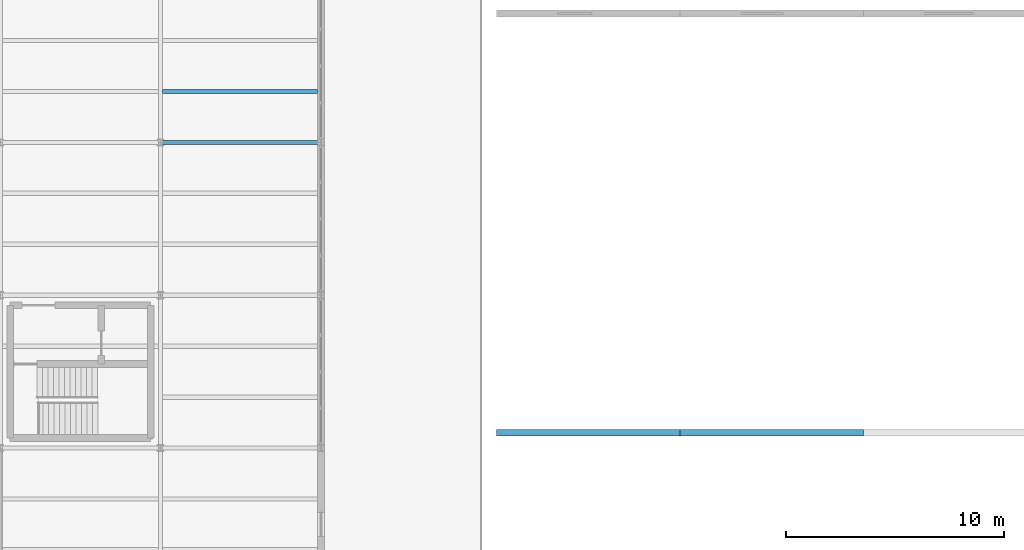
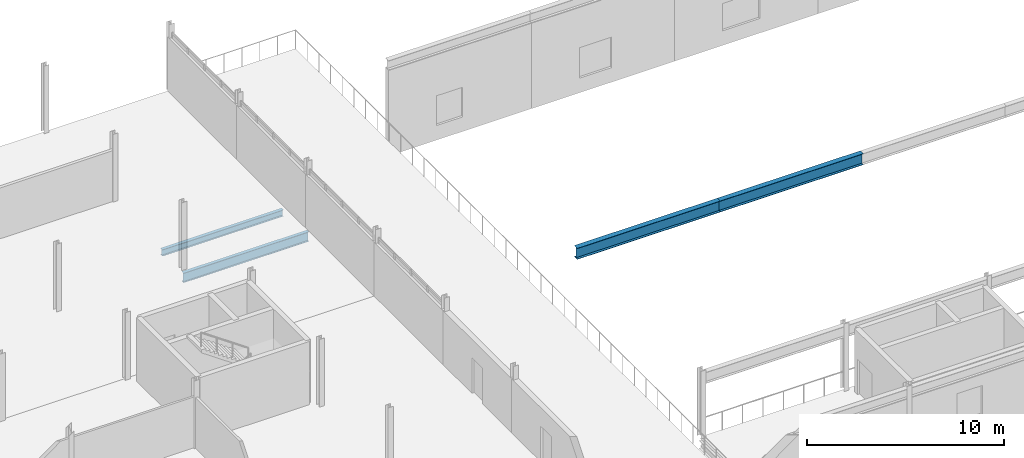
# One storey, part 22 of 39: 4 beams.
"""IFC4 building model written with IfcOpenShell, lengths in metres."""

import ifcopenshell
import ifcopenshell.guid

model = None  # the IFC model being written
_history = None  # IfcOwnerHistory: only IFC2X3 demands one
_inside = {}  # id of a spatial element -> (the spatial element, [elements in it])
_under = {}  # id of a project, library or spatial element -> (it, [spatial elements below it])
_declared = {}  # id of a project -> (the project, [libraries it declares])
_typed = {}  # id of a type object -> (the type object, [elements of that type])
_made_of = {}  # id of a material, layer set ... -> (it, [elements and type objects made of it])


def new_model(schema):
    """Start an empty IFC model of exactly this schema.

    Asked for "IFC4X3", IfcOpenShell would pick the latest addendum, in which some entities
    have other attributes; the version numbers below select the first issue.
    IFC2X3 requires an IfcOwnerHistory on every rooted entity: one is made here for all.
    """
    global model, _history
    if schema == "IFC4X3":
        model = ifcopenshell.file(schema_version=(4, 3, 0, 0))
    else:
        model = ifcopenshell.file(schema=schema)
    _inside.clear()
    _under.clear()
    _declared.clear()
    _typed.clear()
    _made_of.clear()
    _history = None
    if model.schema == "IFC2X3":
        org = make("IfcOrganization", Name="unknown")
        user = make(
            "IfcPersonAndOrganization",
            ThePerson=make("IfcPerson", FamilyName="unknown"),
            TheOrganization=org,
        )
        app = make(
            "IfcApplication",
            ApplicationDeveloper=org,
            Version="unknown",
            ApplicationFullName="unknown",
            ApplicationIdentifier="unknown",
        )
        _history = make(
            "IfcOwnerHistory",
            OwningUser=user,
            OwningApplication=app,
            ChangeAction="ADDED",
            CreationDate=0,
        )
    return model


def make(cls, **values):
    """One entity of the class cls with the attributes given. An attribute that is None is left unset."""
    return model.create_entity(
        cls, **{name: value for name, value in values.items() if value is not None}
    )


def rooted(cls, **values):
    """An entity with a GlobalId (a new one), such as an element, a storey or a relation."""
    return make(cls, GlobalId=ifcopenshell.guid.new(), OwnerHistory=_history, **values)


def si_unit(unit_type, name, prefix=None):
    """IfcSIUnit, for example si_unit("LENGTHUNIT", "METRE", prefix="MILLI")."""
    return make("IfcSIUnit", UnitType=unit_type, Prefix=prefix, Name=name)


def assignment(units):
    """IfcUnitAssignment: the units of a project."""
    return None if units is None else make("IfcUnitAssignment", Units=units)


def point(xyz):
    """IfcCartesianPoint."""
    return None if xyz is None else make("IfcCartesianPoint", Coordinates=xyz)


def direction(xyz):
    """IfcDirection."""
    return None if xyz is None else make("IfcDirection", DirectionRatios=xyz)


def frame(location, z_axis=None, x_axis=None):
    """IfcAxis2Placement3D, a coordinate frame: its origin and axes. An axis left out is left unset."""
    return make(
        "IfcAxis2Placement3D",
        Location=point(location),
        Axis=direction(z_axis),
        RefDirection=direction(x_axis),
    )


def frame_2d(location, x_axis=None):
    """IfcAxis2Placement2D, a coordinate frame in the plane: its origin and x axis."""
    return make(
        "IfcAxis2Placement2D", Location=point(location), RefDirection=direction(x_axis)
    )


def origin():
    """The frame at (0, 0, 0) with its axes left unset."""
    return frame((0.0, 0.0, 0.0))


def origin_2d():
    """The frame at (0, 0) in the plane with its x axis left unset."""
    return frame_2d((0.0, 0.0))


def place(relative_to, where):
    """IfcLocalPlacement: puts the frame where relative to a parent placement (None: the world)."""
    return make(
        "IfcLocalPlacement", PlacementRelTo=relative_to, RelativePlacement=where
    )


def context(
    kind, dimensions, precision=None, world=None, true_north=None, identifier=None
):
    """IfcGeometricRepresentationContext, for example the 3D "Model" context."""
    return make(
        "IfcGeometricRepresentationContext",
        ContextIdentifier=identifier,
        ContextType=kind,
        CoordinateSpaceDimension=dimensions,
        Precision=precision,
        WorldCoordinateSystem=world,
        TrueNorth=true_north,
    )


def subcontext(parent, identifier, kind, view, scale=None):
    """IfcGeometricRepresentationSubContext, for example "Body" below "Model"."""
    return make(
        "IfcGeometricRepresentationSubContext",
        ContextIdentifier=identifier,
        ContextType=kind,
        ParentContext=parent,
        TargetScale=scale,
        TargetView=view,
    )


def project(units=None, contexts=None):
    """IfcProject with its units and contexts."""
    return rooted(
        "IfcProject",
        Name="project",
        RepresentationContexts=contexts,
        UnitsInContext=assignment(units),
    )


def spatial(cls, under=None, at=None, **own):
    """A site, building, storey or space (cls), placed at a placement, below another one or the project."""
    s = rooted(cls, ObjectPlacement=at, **own)
    if under is not None:
        _under.setdefault(under.id(), (under, []))[1].append(s)
    return s


def profile(cls, at=None, kind="AREA", **sizes):
    """A parametric profile (cls). Its sizes go by their IFC names, for example OverallWidth=200.0."""
    return make(cls, ProfileType=kind, Position=at, **sizes)


def i_section(**sizes):
    """IfcIShapeProfileDef."""
    return profile("IfcIShapeProfileDef", **sizes)


def extrude(swept, where, along, depth):
    """IfcExtrudedAreaSolid: the profile swept, set in the frame where, extruded along a direction by depth."""
    return make(
        "IfcExtrudedAreaSolid",
        SweptArea=swept,
        Position=where,
        ExtrudedDirection=direction(along),
        Depth=depth,
    )


def shape(context_of_items, identifier, shape_type, items):
    """IfcShapeRepresentation: the items that make up one representation, for example the "Body"."""
    return make(
        "IfcShapeRepresentation",
        ContextOfItems=context_of_items,
        RepresentationIdentifier=identifier,
        RepresentationType=shape_type,
        Items=items,
    )


def material(Name=None, Category=None):
    """IfcMaterial."""
    return make("IfcMaterial", Name=Name, Category=Category)


def material_profile(
    of_material, cross_section, Name=None, Category=None, Priority=None
):
    """IfcMaterialProfile: a cross section and its material."""
    return make(
        "IfcMaterialProfile",
        Name=Name,
        Material=of_material,
        Profile=cross_section,
        Priority=Priority,
        Category=Category,
    )


def profile_set(profiles, Name=None, composite=None):
    """IfcMaterialProfileSet."""
    return make(
        "IfcMaterialProfileSet",
        Name=Name,
        MaterialProfiles=profiles,
        CompositeProfile=composite,
    )


def made_of(thing, what):
    """Note that an element or type object is made of a material, layer set ...; save() writes the relation."""
    if what is not None:
        _made_of.setdefault(what.id(), (what, []))[1].append(thing)
    return thing


def type_object(cls, material=None, **own):
    """A type object (cls), such as IfcWallType, which elements share."""
    return made_of(rooted(cls, **own), material)


def element(
    cls,
    number,
    at=None,
    inside=None,
    cuts=None,
    type_object=None,
    material=None,
    context=None,
    identifier="Body",
    shape_type=None,
    held_by="IfcProductDefinitionShape",
    body=None,
    shapes=None,
    **own,
):
    """One element of the class cls, such as IfcWall. Its Tag is "e" and its number.

    at: its placement. inside: the storey or other place that contains it. cuts: it is an
    opening in that element (IfcRelVoidsElement). A single representation is given by context,
    identifier, shape_type and body (its items); several are given by shapes. held_by: the class
    of the entity that holds the representations. save() writes the other relations.
    """
    e = rooted(cls, Tag="e%d" % number, ObjectPlacement=at, **own)
    if body is not None:
        shapes = [shape(context, identifier, shape_type, body)]
    if shapes is not None:
        e.Representation = make(held_by, Representations=shapes)
    if inside is not None:
        _inside.setdefault(inside.id(), (inside, []))[1].append(e)
    if cuts is not None:
        rooted(
            "IfcRelVoidsElement", RelatingBuildingElement=cuts, RelatedOpeningElement=e
        )
    if type_object is not None:
        _typed.setdefault(type_object.id(), (type_object, []))[1].append(e)
    return made_of(e, material)


def aggregate(whole, parts):
    """IfcRelAggregates: a whole, such as a stair, and the parts it consists of."""
    return rooted("IfcRelAggregates", RelatingObject=whole, RelatedObjects=parts)


def save(model, path):
    """Write the relations noted so far, then the file.

    IfcRelAggregates (storeys below a building ...), IfcRelContainedInSpatialStructure (elements
    in a storey), IfcRelDefinesByType, IfcRelAssociatesMaterial and IfcRelDeclares: one each for
    every whole, place, type object, material and project.
    """
    for whole, parts in _under.values():
        aggregate(whole, parts)
    for where, things in _inside.values():
        rooted(
            "IfcRelContainedInSpatialStructure",
            RelatedElements=things,
            RelatingStructure=where,
        )
    for kind, things in _typed.values():
        rooted("IfcRelDefinesByType", RelatedObjects=things, RelatingType=kind)
    for what, things in _made_of.values():
        rooted("IfcRelAssociatesMaterial", RelatedObjects=things, RelatingMaterial=what)
    for by, libraries in _declared.values():
        rooted("IfcRelDeclares", RelatingContext=by, RelatedDefinitions=libraries)
    model.write(path)


model = new_model("IFC4")

# Units and contexts
model_context = context("Model", 3, precision=1e-05, world=origin(), true_north=direction((0.0, 1.0)))
body_context = subcontext(model_context, "Body", "Model", "MODEL_VIEW")
ifc_project = project(units=[si_unit("LENGTHUNIT", "METRE"), si_unit("AREAUNIT", "SQUARE_METRE"), si_unit("VOLUMEUNIT", "CUBIC_METRE"), si_unit("PLANEANGLEUNIT", "RADIAN"), si_unit("MASSUNIT", "GRAM", prefix="KILO")], contexts=[model_context])

# Site, building, storey
site_placement = place(None, origin())
site = spatial("IfcSite", under=ifc_project, at=site_placement, CompositionType="ELEMENT")
building_placement = place(site_placement, origin())
building = spatial("IfcBuilding", under=site, at=building_placement, Name="Kazenagashi Tramway Depot", CompositionType="ELEMENT")
storey_placement = place(building_placement, frame((0.0, 0.0, 11.1)))
storey = spatial("IfcBuildingStorey", under=building, at=storey_placement, Name="L03", CompositionType="ELEMENT", Elevation=11.1)

# Beams
ifc_material = material(Name="Steel SN490B", Category="steel")
ifc_material_profile_1 = material_profile(ifc_material, i_section(OverallWidth=0.3, OverallDepth=0.692, WebThickness=0.013, FlangeThickness=0.02, at=origin_2d()), Name="H-692x300x13x20")
ifc_profile_set_1 = profile_set([ifc_material_profile_1], Name="Steel SN490B")
beam_type_1 = type_object("IfcBeamType", Name="G-08", PredefinedType="BEAM", material=ifc_profile_set_1)
for number, where, z_axis, x_axis, name in (
    (1, (44.8, 35.7, 3.654), (1.0, 0.0, 0.0), (0.0, 1.0, 0.0), "Beam G-08 BM-0970"),
    (2, (53.2, 35.7, 3.654), (1.0, 0.0, 0.0), (0.0, 1.0, 0.0), "Beam G-08 BM-0971"),
):
    element("IfcBeam", number, at=place(storey_placement, frame(where, z_axis=z_axis, x_axis=x_axis)), inside=storey, type_object=beam_type_1, Name=name, PredefinedType="BEAM", context=body_context, shape_type="SweptSolid", body=[
        extrude(i_section(OverallWidth=0.3, OverallDepth=0.692, WebThickness=0.013, FlangeThickness=0.02, at=origin_2d()), origin(), (0.0, 0.0, 1.0), 8.4),
    ])
ifc_material_profile_2 = material_profile(ifc_material, i_section(OverallWidth=0.199, OverallDepth=0.596, WebThickness=0.01, FlangeThickness=0.015, at=origin_2d()), Name="H-596x199x10x15")
ifc_profile_set_2 = profile_set([ifc_material_profile_2], Name="Steel SN490B")
beam_type_2 = type_object("IfcBeamType", Name="G-09", PredefinedType="BEAM", material=ifc_profile_set_2)
beam_1_placement = place(storey_placement, frame((29.4, 49.0, -0.548), z_axis=(1.0, 0.0, 0.0), x_axis=(0.0, 1.0, 0.0)))
element("IfcBeam", 3, at=beam_1_placement, inside=storey, type_object=beam_type_2, Name="Beam G-09 BM-0257", PredefinedType="BEAM", context=body_context, shape_type="SweptSolid", body=[
    extrude(i_section(OverallWidth=0.199, OverallDepth=0.596, WebThickness=0.01, FlangeThickness=0.015, at=origin_2d()), origin(), (0.0, 0.0, 1.0), 7.35),
])
ifc_material_profile_3 = material_profile(ifc_material, i_section(OverallWidth=0.199, OverallDepth=0.396, WebThickness=0.007, FlangeThickness=0.011, at=origin_2d()), Name="H-396x199x7x11")
ifc_profile_set_3 = profile_set([ifc_material_profile_3], Name="Steel SN490B")
beam_type_3 = type_object("IfcBeamType", Name="J-05", PredefinedType="JOIST", material=ifc_profile_set_3)
beam_2_placement = place(storey_placement, frame((29.499, 51.333, -0.448), z_axis=(1.0, 0.0, 0.0), x_axis=(0.0, 1.0, 0.0)))
element("IfcBeam", 4, at=beam_2_placement, inside=storey, type_object=beam_type_3, Name="Beam J-05 BM-0394", PredefinedType="JOIST", context=body_context, shape_type="SweptSolid", body=[
    extrude(i_section(OverallWidth=0.199, OverallDepth=0.396, WebThickness=0.007, FlangeThickness=0.011, at=origin_2d()), origin(), (0.0, 0.0, 1.0), 7.101),
])

save(model, "model.ifc")
